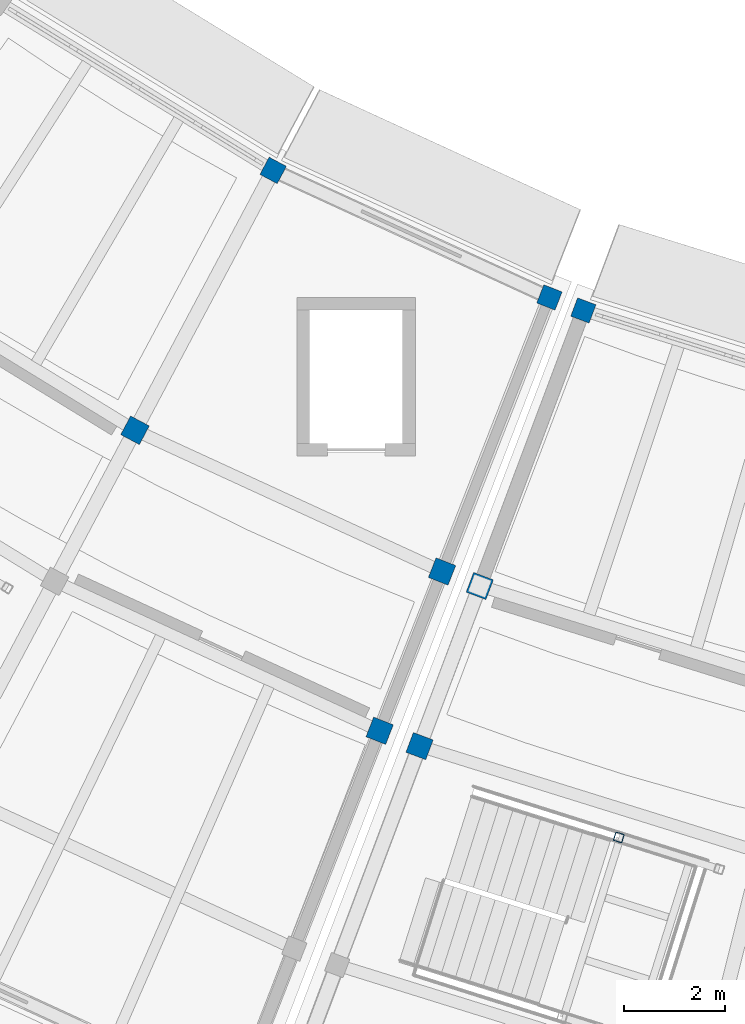
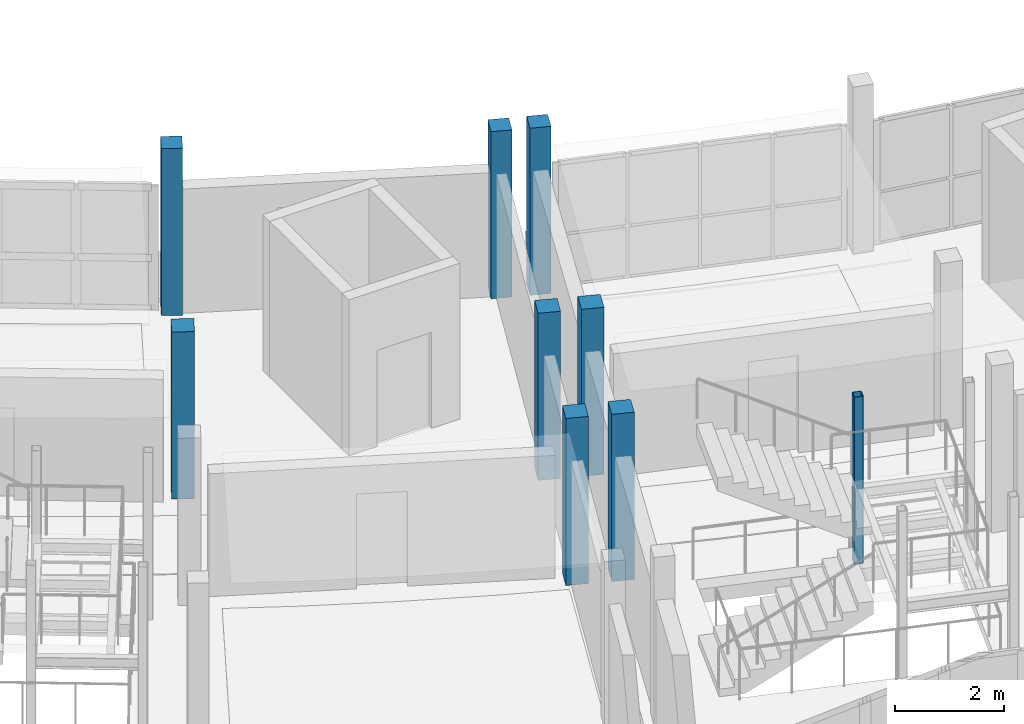
# One storey, part 4 of 66: 9 columns.
"""IFC4 building model written with IfcOpenShell, lengths in metres."""

import ifcopenshell
import ifcopenshell.guid

model = None  # the IFC model being written
_history = None  # IfcOwnerHistory: only IFC2X3 demands one
_inside = {}  # id of a spatial element -> (the spatial element, [elements in it])
_under = {}  # id of a project, library or spatial element -> (it, [spatial elements below it])
_declared = {}  # id of a project -> (the project, [libraries it declares])
_typed = {}  # id of a type object -> (the type object, [elements of that type])
_made_of = {}  # id of a material, layer set ... -> (it, [elements and type objects made of it])


def new_model(schema):
    """Start an empty IFC model of exactly this schema.

    Asked for "IFC4X3", IfcOpenShell would pick the latest addendum, in which some entities
    have other attributes; the version numbers below select the first issue.
    IFC2X3 requires an IfcOwnerHistory on every rooted entity: one is made here for all.
    """
    global model, _history
    if schema == "IFC4X3":
        model = ifcopenshell.file(schema_version=(4, 3, 0, 0))
    else:
        model = ifcopenshell.file(schema=schema)
    _inside.clear()
    _under.clear()
    _declared.clear()
    _typed.clear()
    _made_of.clear()
    _history = None
    if model.schema == "IFC2X3":
        org = make("IfcOrganization", Name="unknown")
        user = make(
            "IfcPersonAndOrganization",
            ThePerson=make("IfcPerson", FamilyName="unknown"),
            TheOrganization=org,
        )
        app = make(
            "IfcApplication",
            ApplicationDeveloper=org,
            Version="unknown",
            ApplicationFullName="unknown",
            ApplicationIdentifier="unknown",
        )
        _history = make(
            "IfcOwnerHistory",
            OwningUser=user,
            OwningApplication=app,
            ChangeAction="ADDED",
            CreationDate=0,
        )
    return model


def make(cls, **values):
    """One entity of the class cls with the attributes given. An attribute that is None is left unset."""
    return model.create_entity(
        cls, **{name: value for name, value in values.items() if value is not None}
    )


def rooted(cls, **values):
    """An entity with a GlobalId (a new one), such as an element, a storey or a relation."""
    return make(cls, GlobalId=ifcopenshell.guid.new(), OwnerHistory=_history, **values)


def si_unit(unit_type, name, prefix=None):
    """IfcSIUnit, for example si_unit("LENGTHUNIT", "METRE", prefix="MILLI")."""
    return make("IfcSIUnit", UnitType=unit_type, Prefix=prefix, Name=name)


def assignment(units):
    """IfcUnitAssignment: the units of a project."""
    return None if units is None else make("IfcUnitAssignment", Units=units)


def point(xyz):
    """IfcCartesianPoint."""
    return None if xyz is None else make("IfcCartesianPoint", Coordinates=xyz)


def direction(xyz):
    """IfcDirection."""
    return None if xyz is None else make("IfcDirection", DirectionRatios=xyz)


def frame(location, z_axis=None, x_axis=None):
    """IfcAxis2Placement3D, a coordinate frame: its origin and axes. An axis left out is left unset."""
    return make(
        "IfcAxis2Placement3D",
        Location=point(location),
        Axis=direction(z_axis),
        RefDirection=direction(x_axis),
    )


def frame_2d(location, x_axis=None):
    """IfcAxis2Placement2D, a coordinate frame in the plane: its origin and x axis."""
    return make(
        "IfcAxis2Placement2D", Location=point(location), RefDirection=direction(x_axis)
    )


def origin():
    """The frame at (0, 0, 0) with its axes left unset."""
    return frame((0.0, 0.0, 0.0))


def origin_2d():
    """The frame at (0, 0) in the plane with its x axis left unset."""
    return frame_2d((0.0, 0.0))


def place(relative_to, where):
    """IfcLocalPlacement: puts the frame where relative to a parent placement (None: the world)."""
    return make(
        "IfcLocalPlacement", PlacementRelTo=relative_to, RelativePlacement=where
    )


def context(
    kind, dimensions, precision=None, world=None, true_north=None, identifier=None
):
    """IfcGeometricRepresentationContext, for example the 3D "Model" context."""
    return make(
        "IfcGeometricRepresentationContext",
        ContextIdentifier=identifier,
        ContextType=kind,
        CoordinateSpaceDimension=dimensions,
        Precision=precision,
        WorldCoordinateSystem=world,
        TrueNorth=true_north,
    )


def subcontext(parent, identifier, kind, view, scale=None):
    """IfcGeometricRepresentationSubContext, for example "Body" below "Model"."""
    return make(
        "IfcGeometricRepresentationSubContext",
        ContextIdentifier=identifier,
        ContextType=kind,
        ParentContext=parent,
        TargetScale=scale,
        TargetView=view,
    )


def project(units=None, contexts=None):
    """IfcProject with its units and contexts."""
    return rooted(
        "IfcProject",
        Name="project",
        RepresentationContexts=contexts,
        UnitsInContext=assignment(units),
    )


def spatial(cls, under=None, at=None, **own):
    """A site, building, storey or space (cls), placed at a placement, below another one or the project."""
    s = rooted(cls, ObjectPlacement=at, **own)
    if under is not None:
        _under.setdefault(under.id(), (under, []))[1].append(s)
    return s


def profile(cls, at=None, kind="AREA", **sizes):
    """A parametric profile (cls). Its sizes go by their IFC names, for example OverallWidth=200.0."""
    return make(cls, ProfileType=kind, Position=at, **sizes)


def rectangle(**sizes):
    """IfcRectangleProfileDef."""
    return profile("IfcRectangleProfileDef", **sizes)


def hollow_rectangle(**sizes):
    """IfcRectangleHollowProfileDef."""
    return profile("IfcRectangleHollowProfileDef", **sizes)


def extrude(swept, where, along, depth):
    """IfcExtrudedAreaSolid: the profile swept, set in the frame where, extruded along a direction by depth."""
    return make(
        "IfcExtrudedAreaSolid",
        SweptArea=swept,
        Position=where,
        ExtrudedDirection=direction(along),
        Depth=depth,
    )


def shape(context_of_items, identifier, shape_type, items):
    """IfcShapeRepresentation: the items that make up one representation, for example the "Body"."""
    return make(
        "IfcShapeRepresentation",
        ContextOfItems=context_of_items,
        RepresentationIdentifier=identifier,
        RepresentationType=shape_type,
        Items=items,
    )


def material(Name=None, Category=None):
    """IfcMaterial."""
    return make("IfcMaterial", Name=Name, Category=Category)


def material_profile(
    of_material, cross_section, Name=None, Category=None, Priority=None
):
    """IfcMaterialProfile: a cross section and its material."""
    return make(
        "IfcMaterialProfile",
        Name=Name,
        Material=of_material,
        Profile=cross_section,
        Priority=Priority,
        Category=Category,
    )


def profile_set(profiles, Name=None, composite=None):
    """IfcMaterialProfileSet."""
    return make(
        "IfcMaterialProfileSet",
        Name=Name,
        MaterialProfiles=profiles,
        CompositeProfile=composite,
    )


def made_of(thing, what):
    """Note that an element or type object is made of a material, layer set ...; save() writes the relation."""
    if what is not None:
        _made_of.setdefault(what.id(), (what, []))[1].append(thing)
    return thing


def type_object(cls, material=None, **own):
    """A type object (cls), such as IfcWallType, which elements share."""
    return made_of(rooted(cls, **own), material)


def element(
    cls,
    number,
    at=None,
    inside=None,
    cuts=None,
    type_object=None,
    material=None,
    context=None,
    identifier="Body",
    shape_type=None,
    held_by="IfcProductDefinitionShape",
    body=None,
    shapes=None,
    **own,
):
    """One element of the class cls, such as IfcWall. Its Tag is "e" and its number.

    at: its placement. inside: the storey or other place that contains it. cuts: it is an
    opening in that element (IfcRelVoidsElement). A single representation is given by context,
    identifier, shape_type and body (its items); several are given by shapes. held_by: the class
    of the entity that holds the representations. save() writes the other relations.
    """
    e = rooted(cls, Tag="e%d" % number, ObjectPlacement=at, **own)
    if body is not None:
        shapes = [shape(context, identifier, shape_type, body)]
    if shapes is not None:
        e.Representation = make(held_by, Representations=shapes)
    if inside is not None:
        _inside.setdefault(inside.id(), (inside, []))[1].append(e)
    if cuts is not None:
        rooted(
            "IfcRelVoidsElement", RelatingBuildingElement=cuts, RelatedOpeningElement=e
        )
    if type_object is not None:
        _typed.setdefault(type_object.id(), (type_object, []))[1].append(e)
    return made_of(e, material)


def aggregate(whole, parts):
    """IfcRelAggregates: a whole, such as a stair, and the parts it consists of."""
    return rooted("IfcRelAggregates", RelatingObject=whole, RelatedObjects=parts)


def save(model, path):
    """Write the relations noted so far, then the file.

    IfcRelAggregates (storeys below a building ...), IfcRelContainedInSpatialStructure (elements
    in a storey), IfcRelDefinesByType, IfcRelAssociatesMaterial and IfcRelDeclares: one each for
    every whole, place, type object, material and project.
    """
    for whole, parts in _under.values():
        aggregate(whole, parts)
    for where, things in _inside.values():
        rooted(
            "IfcRelContainedInSpatialStructure",
            RelatedElements=things,
            RelatingStructure=where,
        )
    for kind, things in _typed.values():
        rooted("IfcRelDefinesByType", RelatedObjects=things, RelatingType=kind)
    for what, things in _made_of.values():
        rooted("IfcRelAssociatesMaterial", RelatedObjects=things, RelatingMaterial=what)
    for by, libraries in _declared.values():
        rooted("IfcRelDeclares", RelatingContext=by, RelatedDefinitions=libraries)
    model.write(path)


model = new_model("IFC4")

# Units and contexts
model_context = context("Model", 3, precision=1e-05, world=origin(), true_north=direction((0.0, 1.0)))
body_context = subcontext(model_context, "Body", "Model", "MODEL_VIEW")
ifc_project = project(units=[si_unit("LENGTHUNIT", "METRE"), si_unit("AREAUNIT", "SQUARE_METRE"), si_unit("VOLUMEUNIT", "CUBIC_METRE"), si_unit("PLANEANGLEUNIT", "RADIAN"), si_unit("MASSUNIT", "GRAM", prefix="KILO")], contexts=[model_context])

# Site, building, storey
site_placement = place(None, origin())
site = spatial("IfcSite", under=ifc_project, at=site_placement, CompositionType="ELEMENT")
building_placement = place(site_placement, origin())
building = spatial("IfcBuilding", under=site, at=building_placement, Name="Caldaven Crescent School", CompositionType="ELEMENT")
storey_placement = place(building_placement, frame((0.0, 0.0, 8.159912109375)))
storey = spatial("IfcBuildingStorey", under=building, at=storey_placement, Name="L02", CompositionType="ELEMENT", Elevation=8.159912109375)

# Columns
ifc_material_1 = material(Name="Glulam MLE24h (GL28h)", Category="wood")
ifc_material_profile_1 = material_profile(ifc_material_1, rectangle(XDim=0.389892578125, YDim=0.389892578125, at=origin_2d()), Name="MLE 390x390")
ifc_profile_set_1 = profile_set([ifc_material_profile_1], Name="Glulam MLE24h (GL28h)")
column_type_1 = type_object("IfcColumnType", Name="COL-GL39", PredefinedType="COLUMN", material=ifc_profile_set_1)
for number, where, z_axis, x_axis, name in (
    (1, (63.376220703125, 49.689453125, 0.0), (0.0, 0.0, 1.0), (-0.469471562786, -0.882947592859, 0.0), "COL-V4W-L02-03-0"),
    (2, (68.866943359375, 47.164306640625, 0.0), (0.0, 0.0, 1.0), (-0.364714278886, -0.931119484694, 0.0), "COL-V4W-L02-04-0"),
    (3, (69.541259765625, 46.905517578125, 0.0), (0.0, 0.0, 1.0), (-0.352005016254, -0.93599811353, 0.0), "COL-V5-L02-00-0"),
):
    element("IfcColumn", number, at=place(storey_placement, frame(where, z_axis=z_axis, x_axis=x_axis)), inside=storey, type_object=column_type_1, Name=name, PredefinedType="COLUMN", context=body_context, shape_type="SweptSolid", body=[
        extrude(rectangle(XDim=0.389892578125, YDim=0.389892578125, at=origin_2d()), origin(), (0.0, 0.0, 1.0), 3.739990234375),
    ])
ifc_material_profile_2 = material_profile(ifc_material_1, rectangle(XDim=0.419921875, YDim=0.419921875, at=origin_2d()), Name="MLE 420x420")
ifc_profile_set_2 = profile_set([ifc_material_profile_2], Name="Glulam MLE24h (GL28h)")
column_type_2 = type_object("IfcColumnType", Name="COL-GL42", PredefinedType="COLUMN", material=ifc_profile_set_2)
for number, where, z_axis, x_axis, name in (
    (4, (60.6298828125, 44.524169921875, 0.0), (0.0, 0.0, 1.0), (-0.469471562786, -0.882947592859, 0.0), "COL-V4W-L02-03-1"),
    (5, (66.73291015625, 41.71728515625, 0.0), (0.0, 0.0, 1.0), (-0.364714278886, -0.931119484694, 0.0), "COL-V4W-L02-04-1"),
    (6, (65.49267578125, 38.5517578125, 0.0), (0.0, 0.0, 1.0), (-0.364714278886, -0.931119484694, 0.0), "COL-V4W-L02-04-2"),
    (7, (67.482421875, 41.4296875, 0.0), (0.0, 0.0, 1.0), (-0.352005016254, -0.93599811353, 0.0), "COL-V5-L02-00-1"),
    (8, (66.285888671875, 38.247314453125, 0.0), (0.0, 0.0, 1.0), (-0.352005016254, -0.93599811353, 0.0), "COL-V5-L02-00-2"),
):
    element("IfcColumn", number, at=place(storey_placement, frame(where, z_axis=z_axis, x_axis=x_axis)), inside=storey, type_object=column_type_2, Name=name, PredefinedType="COLUMN", context=body_context, shape_type="SweptSolid", body=[
        extrude(rectangle(XDim=0.419921875, YDim=0.419921875, at=origin_2d()), origin(), (0.0, 0.0, 1.0), 3.739990234375),
    ])
ifc_material_2 = material(Name="Steel ASTM A572 Grade 50", Category="steel")
ifc_material_profile_3 = material_profile(ifc_material_2, hollow_rectangle(XDim=0.179931640625, YDim=0.179931640625, WallThickness=0.010009765625, InnerFilletRadius=0.010009765625, OuterFilletRadius=0.02001953125, at=origin_2d()), Name="HSS 180x180x10")
ifc_profile_set_3 = profile_set([ifc_material_profile_3], Name="Steel ASTM A572 Grade 50")
column_type_3 = type_object("IfcColumnType", Name="COL-HS18", PredefinedType="COLUMN", material=ifc_profile_set_3)
column_placement = place(storey_placement, frame((70.245849609375, 36.431884765625, 0.0), z_axis=(0.0, 0.0, 1.0), x_axis=(0.953716950748, -0.300705799504, 0.0)))
element("IfcColumn", 9, at=column_placement, inside=storey, type_object=column_type_3, Name="COL-STPOST-ST2-L02-B", PredefinedType="COLUMN", context=body_context, shape_type="SweptSolid", body=[
    extrude(hollow_rectangle(XDim=0.179931640625, YDim=0.179931640625, WallThickness=0.010009765625, InnerFilletRadius=0.010009765625, OuterFilletRadius=0.02001953125, at=origin_2d()), origin(), (0.0, 0.0, 1.0), 3.739990234375),
])

save(model, "model.ifc")
